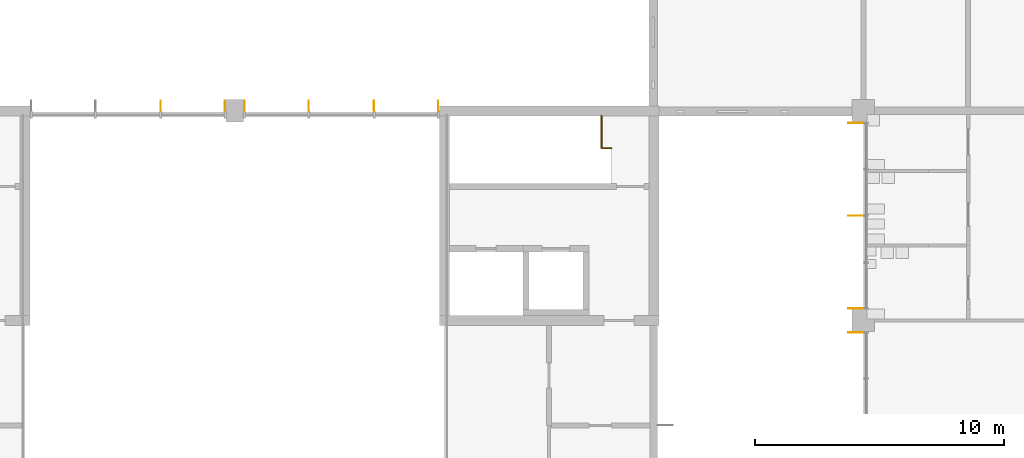
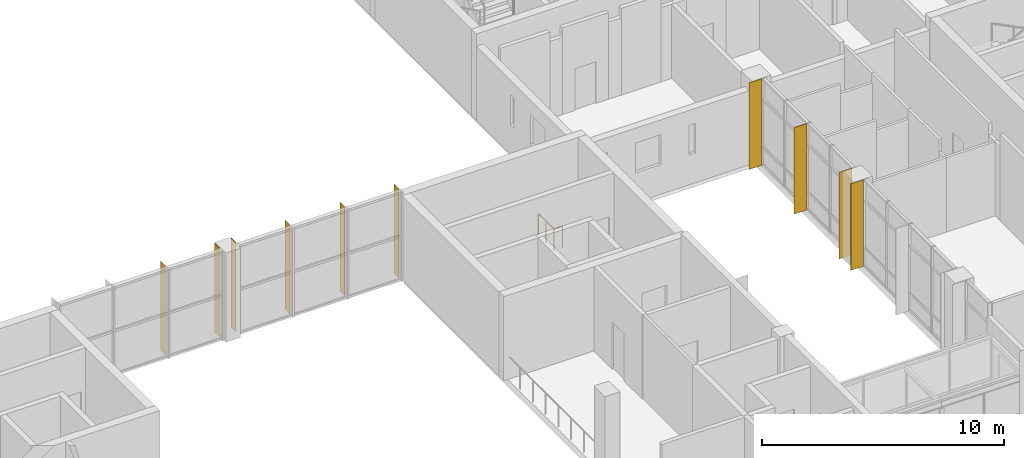
# One storey, part 64 of 70: 10 shading devices, 1 railing.
"""IFC4 building model written with IfcOpenShell, lengths in metres."""

import ifcopenshell
import ifcopenshell.guid

model = None  # the IFC model being written
_history = None  # IfcOwnerHistory: only IFC2X3 demands one
_inside = {}  # id of a spatial element -> (the spatial element, [elements in it])
_under = {}  # id of a project, library or spatial element -> (it, [spatial elements below it])
_declared = {}  # id of a project -> (the project, [libraries it declares])
_typed = {}  # id of a type object -> (the type object, [elements of that type])
_made_of = {}  # id of a material, layer set ... -> (it, [elements and type objects made of it])


def new_model(schema):
    """Start an empty IFC model of exactly this schema.

    Asked for "IFC4X3", IfcOpenShell would pick the latest addendum, in which some entities
    have other attributes; the version numbers below select the first issue.
    IFC2X3 requires an IfcOwnerHistory on every rooted entity: one is made here for all.
    """
    global model, _history
    if schema == "IFC4X3":
        model = ifcopenshell.file(schema_version=(4, 3, 0, 0))
    else:
        model = ifcopenshell.file(schema=schema)
    _inside.clear()
    _under.clear()
    _declared.clear()
    _typed.clear()
    _made_of.clear()
    _history = None
    if model.schema == "IFC2X3":
        org = make("IfcOrganization", Name="unknown")
        user = make(
            "IfcPersonAndOrganization",
            ThePerson=make("IfcPerson", FamilyName="unknown"),
            TheOrganization=org,
        )
        app = make(
            "IfcApplication",
            ApplicationDeveloper=org,
            Version="unknown",
            ApplicationFullName="unknown",
            ApplicationIdentifier="unknown",
        )
        _history = make(
            "IfcOwnerHistory",
            OwningUser=user,
            OwningApplication=app,
            ChangeAction="ADDED",
            CreationDate=0,
        )
    return model


def make(cls, **values):
    """One entity of the class cls with the attributes given. An attribute that is None is left unset."""
    return model.create_entity(
        cls, **{name: value for name, value in values.items() if value is not None}
    )


def rooted(cls, **values):
    """An entity with a GlobalId (a new one), such as an element, a storey or a relation."""
    return make(cls, GlobalId=ifcopenshell.guid.new(), OwnerHistory=_history, **values)


def si_unit(unit_type, name, prefix=None):
    """IfcSIUnit, for example si_unit("LENGTHUNIT", "METRE", prefix="MILLI")."""
    return make("IfcSIUnit", UnitType=unit_type, Prefix=prefix, Name=name)


def assignment(units):
    """IfcUnitAssignment: the units of a project."""
    return None if units is None else make("IfcUnitAssignment", Units=units)


def point(xyz):
    """IfcCartesianPoint."""
    return None if xyz is None else make("IfcCartesianPoint", Coordinates=xyz)


def direction(xyz):
    """IfcDirection."""
    return None if xyz is None else make("IfcDirection", DirectionRatios=xyz)


def frame(location, z_axis=None, x_axis=None):
    """IfcAxis2Placement3D, a coordinate frame: its origin and axes. An axis left out is left unset."""
    return make(
        "IfcAxis2Placement3D",
        Location=point(location),
        Axis=direction(z_axis),
        RefDirection=direction(x_axis),
    )


def frame_2d(location, x_axis=None):
    """IfcAxis2Placement2D, a coordinate frame in the plane: its origin and x axis."""
    return make(
        "IfcAxis2Placement2D", Location=point(location), RefDirection=direction(x_axis)
    )


def origin():
    """The frame at (0, 0, 0) with its axes left unset."""
    return frame((0.0, 0.0, 0.0))


def origin_2d():
    """The frame at (0, 0) in the plane with its x axis left unset."""
    return frame_2d((0.0, 0.0))


def place(relative_to, where):
    """IfcLocalPlacement: puts the frame where relative to a parent placement (None: the world)."""
    return make(
        "IfcLocalPlacement", PlacementRelTo=relative_to, RelativePlacement=where
    )


def context(
    kind, dimensions, precision=None, world=None, true_north=None, identifier=None
):
    """IfcGeometricRepresentationContext, for example the 3D "Model" context."""
    return make(
        "IfcGeometricRepresentationContext",
        ContextIdentifier=identifier,
        ContextType=kind,
        CoordinateSpaceDimension=dimensions,
        Precision=precision,
        WorldCoordinateSystem=world,
        TrueNorth=true_north,
    )


def subcontext(parent, identifier, kind, view, scale=None):
    """IfcGeometricRepresentationSubContext, for example "Body" below "Model"."""
    return make(
        "IfcGeometricRepresentationSubContext",
        ContextIdentifier=identifier,
        ContextType=kind,
        ParentContext=parent,
        TargetScale=scale,
        TargetView=view,
    )


def project(units=None, contexts=None):
    """IfcProject with its units and contexts."""
    return rooted(
        "IfcProject",
        Name="project",
        RepresentationContexts=contexts,
        UnitsInContext=assignment(units),
    )


def spatial(cls, under=None, at=None, **own):
    """A site, building, storey or space (cls), placed at a placement, below another one or the project."""
    s = rooted(cls, ObjectPlacement=at, **own)
    if under is not None:
        _under.setdefault(under.id(), (under, []))[1].append(s)
    return s


def profile(cls, at=None, kind="AREA", **sizes):
    """A parametric profile (cls). Its sizes go by their IFC names, for example OverallWidth=200.0."""
    return make(cls, ProfileType=kind, Position=at, **sizes)


def rectangle(**sizes):
    """IfcRectangleProfileDef."""
    return profile("IfcRectangleProfileDef", **sizes)


def circle(**sizes):
    """IfcCircleProfileDef."""
    return profile("IfcCircleProfileDef", **sizes)


def extrude(swept, where, along, depth):
    """IfcExtrudedAreaSolid: the profile swept, set in the frame where, extruded along a direction by depth."""
    return make(
        "IfcExtrudedAreaSolid",
        SweptArea=swept,
        Position=where,
        ExtrudedDirection=direction(along),
        Depth=depth,
    )


def shape(context_of_items, identifier, shape_type, items):
    """IfcShapeRepresentation: the items that make up one representation, for example the "Body"."""
    return make(
        "IfcShapeRepresentation",
        ContextOfItems=context_of_items,
        RepresentationIdentifier=identifier,
        RepresentationType=shape_type,
        Items=items,
    )


def material(Name=None, Category=None):
    """IfcMaterial."""
    return make("IfcMaterial", Name=Name, Category=Category)


def layer(
    of_material, thickness, ventilated=None, Name=None, Category=None, Priority=None
):
    """IfcMaterialLayer: one layer of a wall or slab, of a material (None: an air gap)."""
    return make(
        "IfcMaterialLayer",
        Material=of_material,
        LayerThickness=thickness,
        IsVentilated=ventilated,
        Name=Name,
        Category=Category,
        Priority=Priority,
    )


def layer_set(layers, Name=None):
    """IfcMaterialLayerSet."""
    return make("IfcMaterialLayerSet", MaterialLayers=layers, LayerSetName=Name)


def made_of(thing, what):
    """Note that an element or type object is made of a material, layer set ...; save() writes the relation."""
    if what is not None:
        _made_of.setdefault(what.id(), (what, []))[1].append(thing)
    return thing


def type_object(cls, material=None, **own):
    """A type object (cls), such as IfcWallType, which elements share."""
    return made_of(rooted(cls, **own), material)


def element(
    cls,
    number,
    at=None,
    inside=None,
    cuts=None,
    type_object=None,
    material=None,
    context=None,
    identifier="Body",
    shape_type=None,
    held_by="IfcProductDefinitionShape",
    body=None,
    shapes=None,
    **own,
):
    """One element of the class cls, such as IfcWall. Its Tag is "e" and its number.

    at: its placement. inside: the storey or other place that contains it. cuts: it is an
    opening in that element (IfcRelVoidsElement). A single representation is given by context,
    identifier, shape_type and body (its items); several are given by shapes. held_by: the class
    of the entity that holds the representations. save() writes the other relations.
    """
    e = rooted(cls, Tag="e%d" % number, ObjectPlacement=at, **own)
    if body is not None:
        shapes = [shape(context, identifier, shape_type, body)]
    if shapes is not None:
        e.Representation = make(held_by, Representations=shapes)
    if inside is not None:
        _inside.setdefault(inside.id(), (inside, []))[1].append(e)
    if cuts is not None:
        rooted(
            "IfcRelVoidsElement", RelatingBuildingElement=cuts, RelatedOpeningElement=e
        )
    if type_object is not None:
        _typed.setdefault(type_object.id(), (type_object, []))[1].append(e)
    return made_of(e, material)


def aggregate(whole, parts):
    """IfcRelAggregates: a whole, such as a stair, and the parts it consists of."""
    return rooted("IfcRelAggregates", RelatingObject=whole, RelatedObjects=parts)


def save(model, path):
    """Write the relations noted so far, then the file.

    IfcRelAggregates (storeys below a building ...), IfcRelContainedInSpatialStructure (elements
    in a storey), IfcRelDefinesByType, IfcRelAssociatesMaterial and IfcRelDeclares: one each for
    every whole, place, type object, material and project.
    """
    for whole, parts in _under.values():
        aggregate(whole, parts)
    for where, things in _inside.values():
        rooted(
            "IfcRelContainedInSpatialStructure",
            RelatedElements=things,
            RelatingStructure=where,
        )
    for kind, things in _typed.values():
        rooted("IfcRelDefinesByType", RelatedObjects=things, RelatingType=kind)
    for what, things in _made_of.values():
        rooted("IfcRelAssociatesMaterial", RelatedObjects=things, RelatingMaterial=what)
    for by, libraries in _declared.values():
        rooted("IfcRelDeclares", RelatingContext=by, RelatedDefinitions=libraries)
    model.write(path)


model = new_model("IFC4")

# Units and contexts
model_context = context("Model", 3, precision=1e-05, world=origin(), true_north=direction((0.0, 1.0)))
body_context = subcontext(model_context, "Body", "Model", "MODEL_VIEW")
ifc_project = project(units=[si_unit("LENGTHUNIT", "METRE"), si_unit("AREAUNIT", "SQUARE_METRE"), si_unit("VOLUMEUNIT", "CUBIC_METRE"), si_unit("PLANEANGLEUNIT", "RADIAN"), si_unit("MASSUNIT", "GRAM", prefix="KILO")], contexts=[model_context])

# Site, building, storey
site_placement = place(None, origin())
site = spatial("IfcSite", under=ifc_project, at=site_placement, CompositionType="ELEMENT")
building_placement = place(site_placement, origin())
building = spatial("IfcBuilding", under=site, at=building_placement, Name="Hlaing Beacon Police Headquarters", CompositionType="ELEMENT")
storey_placement = place(building_placement, frame((0.0, 0.0, 5.39990234375)))
storey = spatial("IfcBuildingStorey", under=building, at=storey_placement, Name="L01", CompositionType="ELEMENT", Elevation=5.39990234375)

# Shading devices
ifc_material_1 = material(Name="Aluminium 6063-T5 anodised", Category="aluminium")
ifc_layer_1 = layer(ifc_material_1, 0.011962890625)
ifc_layer_set_1 = layer_set([ifc_layer_1], Name="Aluminium 6063-T5 anodised")
shading_device_type_1 = type_object("IfcShadingDeviceType", Name="Aluminium fin 12x400", PredefinedType="JALOUSIE", material=ifc_layer_set_1)
for number, where, z_axis, x_axis, name in (
    (1, (83.760009765625, 67.39990234375, 0.0), (0.0, 0.0, 1.0), (-1.0, 0.0, 0.0), "Fin L01 N007.0"),
    (2, (81.183349609375, 67.39990234375, 0.0), (0.0, 0.0, 1.0), (-1.0, 0.0, 0.0), "Fin L01 N007.1"),
    (3, (78.566650390625, 67.39990234375, 0.0), (0.0, 0.0, 1.0), (-1.0, 0.0, 0.0), "Fin L01 N007.2"),
    (4, (75.989990234375, 67.39990234375, 0.0), (0.0, 0.0, 1.0), (-1.0, 0.0, 0.0), "Fin L01 N007.3"),
    (5, (75.2099609375, 67.39990234375, 0.0), (0.0, 0.0, 1.0), (-1.0, 0.0, 0.0), "Fin L01 N008.0"),
    (6, (72.63330078125, 67.39990234375, 0.0), (0.0, 0.0, 1.0), (-1.0, 0.0, 0.0), "Fin L01 N008.1"),
):
    element("IfcShadingDevice", number, at=place(storey_placement, frame(where, z_axis=z_axis, x_axis=x_axis)), inside=storey, type_object=shading_device_type_1, Name=name, PredefinedType="JALOUSIE", context=body_context, shape_type="SweptSolid", body=[
        extrude(rectangle(XDim=0.011962890625, YDim=0.39990234375, at=origin_2d()), origin(), (0.0, 0.0, 1.0), 4.5),
    ])
ifc_material_2 = material(Name="Aluminium 6063-T5 anodised", Category="aluminium")
ifc_layer_2 = layer(ifc_material_2, 0.011962890625)
ifc_layer_set_2 = layer_set([ifc_layer_2], Name="Aluminium 6063-T5 anodised")
shading_device_type_2 = type_object("IfcShadingDeviceType", Name="Aluminium fin 12x600", PredefinedType="JALOUSIE", material=ifc_layer_set_2)
for number, where, z_axis, x_axis, name in (
    (7, (100.5, 66.719970703125, 0.0), (0.0, 0.0, 1.0), (0.0, -1.0, 0.0), "Fin L01 W023.0"),
    (8, (100.5, 63.0, 0.0), (0.0, 0.0, 1.0), (0.0, -1.0, 0.0), "Fin L01 W023.2"),
    (9, (100.5, 59.280029296875, 0.0), (0.0, 0.0, 1.0), (0.0, -1.0, 0.0), "Fin L01 W023.4"),
    (10, (100.5, 58.320068359375, 0.0), (0.0, 0.0, 1.0), (0.0, -1.0, 0.0), "Fin L01 W024.0"),
):
    element("IfcShadingDevice", number, at=place(storey_placement, frame(where, z_axis=z_axis, x_axis=x_axis)), inside=storey, type_object=shading_device_type_2, Name=name, PredefinedType="JALOUSIE", context=body_context, shape_type="SweptSolid", body=[
        extrude(rectangle(XDim=0.011962890625, YDim=0.60009765625, at=origin_2d()), origin(), (0.0, 0.0, 1.0), 4.3701171875),
    ])

# Railing
ifc_material_3 = material(Name="Stainless steel", Category="steel")
railing_type = type_object("IfcRailingType", Name="Stair guard 1100", PredefinedType="GUARDRAIL", material=ifc_material_3)
railing_placement = place(storey_placement, frame((90.300048828125, 67.0, 0.0)))
element("IfcRailing", 11, at=railing_placement, inside=storey, type_object=railing_type, Name="Guard ST-D", PredefinedType="GUARDRAIL", context=body_context, shape_type="SweptSolid", body=[
    extrude(circle(Radius=0.02392578125, at=origin_2d()), frame((0.0, 0.0, 1.076171875), z_axis=(0.0, -1.0, 0.0), x_axis=(1.0, 0.0, 0.0)), (0.0, 0.0, 1.0), 1.300048828125),
    extrude(circle(Radius=0.02392578125, at=origin_2d()), frame((0.0, -1.300048828125, 1.076171875), z_axis=(1.0, 0.0, 0.0), x_axis=(0.0, 1.0, 0.0)), (0.0, 0.0, 1.0), 0.39990234375),
    extrude(circle(Radius=0.02099609375, at=origin_2d()), origin(), (0.0, 0.0, 1.0), 1.052001953125),
    extrude(circle(Radius=0.02099609375, at=origin_2d()), frame((0.0, -0.64990234375, 0.0)), (0.0, 0.0, 1.0), 1.052001953125),
    extrude(circle(Radius=0.02099609375, at=origin_2d()), frame((0.0, -1.300048828125, 0.0)), (0.0, 0.0, 1.0), 1.052001953125),
    extrude(circle(Radius=0.02099609375, at=origin_2d()), frame((0.39990234375, -1.300048828125, 0.0)), (0.0, 0.0, 1.0), 1.052001953125),
])

save(model, "model.ifc")
